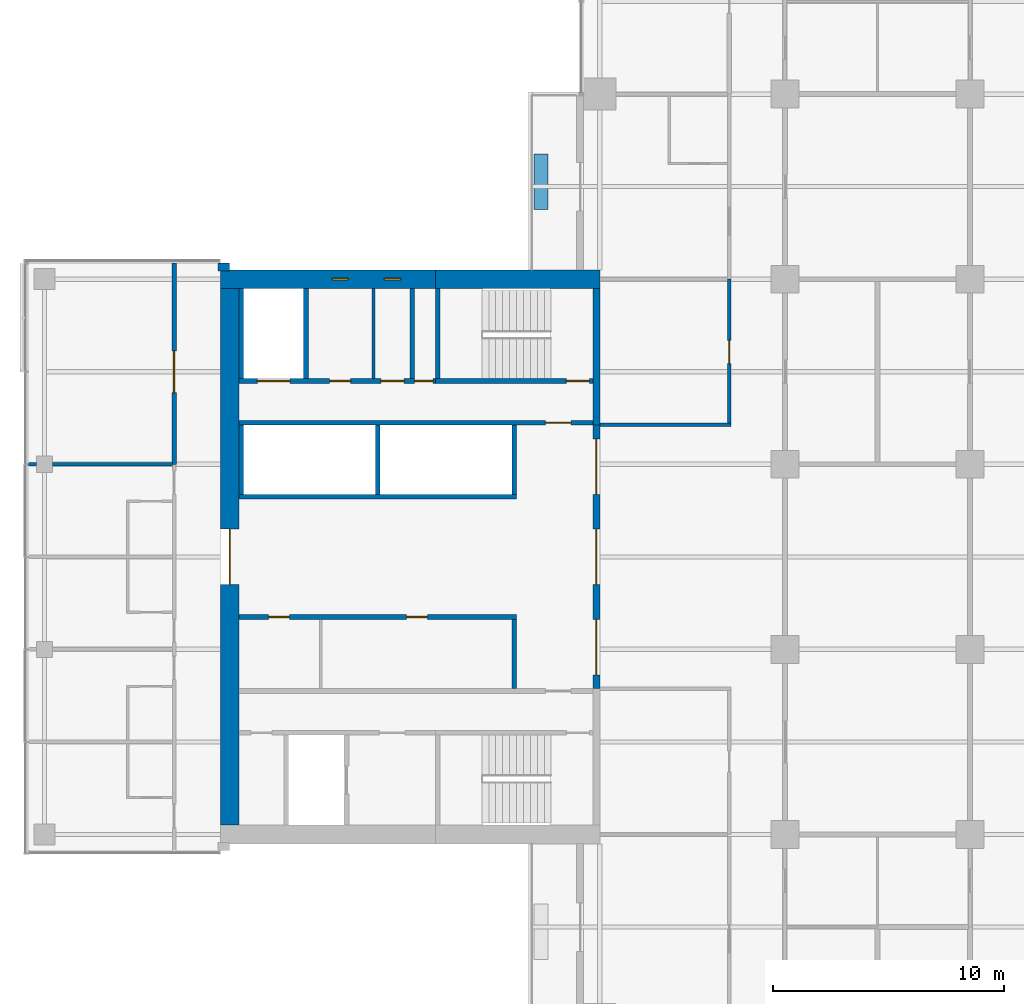
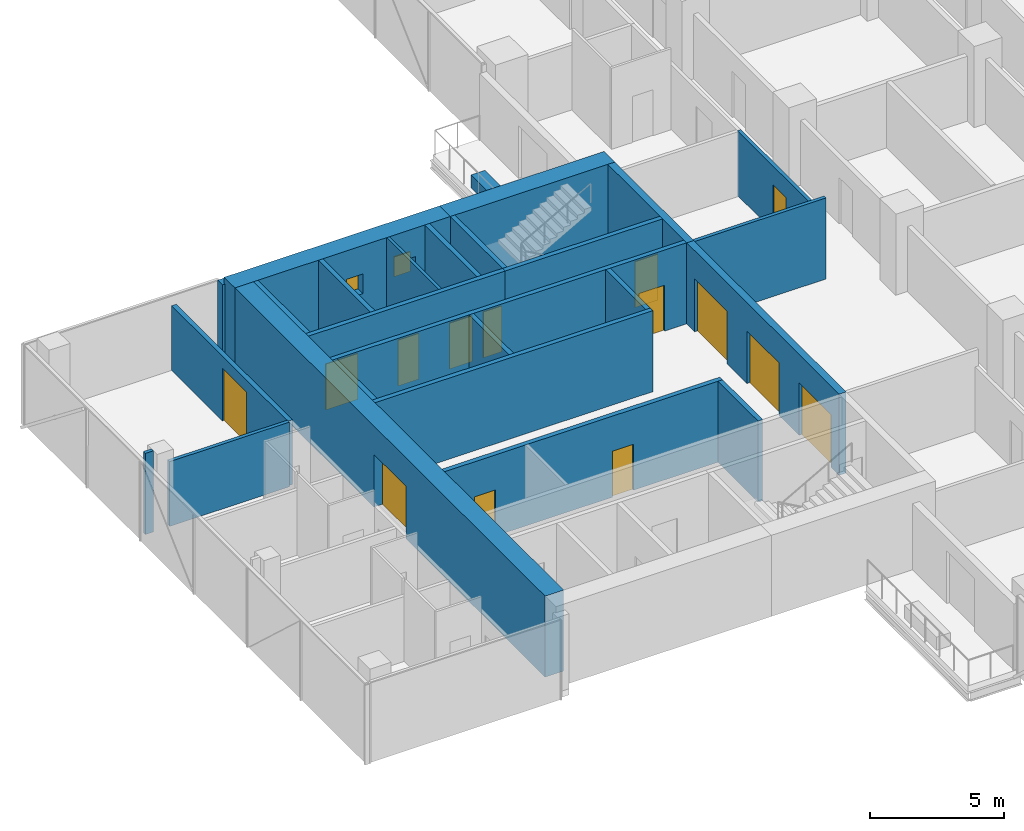
# One storey, part 18 of 27: 26 walls, 14 doors, 2 windows, 16 openings.
"""IFC4 building model written with IfcOpenShell, lengths in metres."""

from ifc_helpers import new_model, si_unit, direction, frame, frame_2d, origin, place, context, subcontext, project, spatial, rectangle, extrude, material, layer, layer_set, constituent, constituent_set, type_object, element, fill, save


model = new_model("IFC4")

# Units and contexts
model_context = context("Model", 3, precision=1e-05, world=origin(), true_north=direction((0.0, 1.0)))
body_context = subcontext(model_context, "Body", "Model", "MODEL_VIEW")
ifc_project = project(units=[si_unit("LENGTHUNIT", "METRE"), si_unit("AREAUNIT", "SQUARE_METRE"), si_unit("VOLUMEUNIT", "CUBIC_METRE"), si_unit("PLANEANGLEUNIT", "RADIAN"), si_unit("MASSUNIT", "GRAM", prefix="KILO")], contexts=[model_context])

# Site, building, storey
site_placement = place(None, origin())
site = spatial("IfcSite", under=ifc_project, at=site_placement, CompositionType="ELEMENT")
building_placement = place(site_placement, origin())
building = spatial("IfcBuilding", under=site, at=building_placement, Name="Crosswind Convention Tower", CompositionType="ELEMENT")
storey_placement = place(building_placement, frame((0.0, 0.0, 79.39990234375)))
storey = spatial("IfcBuildingStorey", under=building, at=storey_placement, Name="L14", CompositionType="ELEMENT", Elevation=79.39990234375)

# Walls
ifc_material_1 = material(Name="Concrete blockwork", Category="masonry")
ifc_layer_1 = layer(ifc_material_1, 0.199951171875)
ifc_layer_set_1 = layer_set([ifc_layer_1], Name="Blockwork partition wall 200")
wall_type_1 = type_object("IfcWallType", Name="Blockwork partition wall 200", PredefinedType="PARTITIONING", material=ifc_layer_set_1)
wall_1_placement = place(storey_placement, frame((104.89990234375, 111.60009765625, 0.0), z_axis=(0.0, 0.0, 1.0), x_axis=(0.0, -1.0, 0.0)))
element("IfcWall", 1, at=wall_1_placement, inside=storey, type_object=wall_type_1, Name="Wall MRSE W L14", PredefinedType="PARTITIONING", context=body_context, shape_type="SweptSolid", body=[
    extrude(rectangle(XDim=3.900146484375, YDim=0.199951171875, at=frame_2d((1.9501953125, 0.0))), origin(), (0.0, 0.0, 1.0), 3.7001953125),
])
ifc_material_2 = material(Name="Plasterboard partition", Category="gypsum")
ifc_layer_2 = layer(ifc_material_2, 0.14990234375)
ifc_layer_set_2 = layer_set([ifc_layer_2], Name="CORRIDOR WALL 150")
wall_type_2 = type_object("IfcWallType", Name="CORRIDOR WALL 150", PredefinedType="PARTITIONING", material=ifc_layer_set_2)
wall_2_placement = place(storey_placement, frame((113.0, 105.699951171875, 0.0), z_axis=(0.0, 0.0, 1.0), x_axis=(1.0, 0.0, 0.0)))
element("IfcWall", 2, at=wall_2_placement, inside=storey, type_object=wall_type_2, Name="Corridor Wall 39", PredefinedType="PARTITIONING", context=body_context, shape_type="SweptSolid", body=[
    extrude(rectangle(XDim=5.675048828125, YDim=0.14990234375, at=frame_2d((2.83740234375, 0.0))), origin(), (0.0, 0.0, 1.0), 3.7001953125),
])

# Wall, opening, door
wall_3_placement = place(storey_placement, frame((118.60009765625, 105.77490234375, 0.0), z_axis=(0.0, 0.0, 1.0), x_axis=(0.0, 1.0, 0.0)))
wall_3 = element("IfcWall", 3, at=wall_3_placement, inside=storey, type_object=wall_type_2, Name="Corridor Wall 75", PredefinedType="PARTITIONING", context=body_context, shape_type="SweptSolid", body=[
    extrude(rectangle(XDim=6.22509765625, YDim=0.14990234375, at=frame_2d((3.112548828125, 0.0))), origin(), (0.0, 0.0, 1.0), 2.95654296875),
])
opening_1_placement = place(wall_3_placement, frame((2.574951171875, 0.0, 0.0)))
opening_1 = element("IfcOpeningElement", 4, at=opening_1_placement, cuts=wall_3, Name="Opening 14.003", PredefinedType="OPENING", context=body_context, shape_type="SweptSolid", body=[
    extrude(rectangle(XDim=1.0, YDim=2.10009765625, at=frame_2d((0.5, 1.050048828125))), frame((0.0, 0.0849609375, 0.0), z_axis=(0.0, -1.0, 0.0), x_axis=(1.0, 0.0, 0.0)), (0.0, 0.0, 1.0), 0.169921875),
])
ifc_material_3 = material(Name="Timber fire door", Category="wood")
door_type_1 = type_object("IfcDoorType", Name="SERVICE ROOM DOOR 1000X2100", OperationType="NOTDEFINED", PredefinedType="DOOR", material=ifc_material_3)
door_1_placement = place(opening_1_placement, origin())
door_1 = element("IfcDoor", 5, at=door_1_placement, inside=storey, type_object=door_type_1, Name="Door 14.003", ObjectType="D3", OperationType="SINGLE_SWING_RIGHT", OverallHeight=2.10009765625, OverallWidth=1.0, PredefinedType="DOOR", context=body_context, shape_type="SweptSolid", body=[
    extrude(rectangle(XDim=1.0, YDim=2.10009765625, at=frame_2d((0.5, 1.050048828125))), frame((0.0, 0.02490234375, 0.0), z_axis=(0.0, -1.0, 0.0), x_axis=(1.0, 0.0, 0.0)), (0.0, 0.0, 1.0), 0.050048828125),
])
fill(opening_1, door_1)

ifc_material_4 = material(Name="Concrete C60/75", Category="concrete")
ifc_layer_3 = layer(ifc_material_4, 0.800048828125)
ifc_layer_set_3 = layer_set([ifc_layer_3], Name="Concrete C60/75")
wall_type_3 = type_object("IfcWallType", Name="Concrete core wall 800", PredefinedType="SHEAR", material=ifc_layer_set_3)
wall_4_placement = place(storey_placement, frame((97.0, 111.60009765625, 0.0), z_axis=(0.0, 0.0, 1.0), x_axis=(0.0, -1.0, 0.0)))
wall_4 = element("IfcWall", 6, at=wall_4_placement, inside=storey, type_object=wall_type_3, Name="Wall O W L14", PredefinedType="SHEAR", context=body_context, shape_type="SweptSolid", body=[
    extrude(rectangle(XDim=23.2001953125, YDim=0.800048828125, at=frame_2d((11.60009765625, 0.0))), origin(), (0.0, 0.0, 1.0), 3.7001953125),
])
opening_2_placement = place(wall_4_placement, frame((10.39990234375, 0.0, 0.0)))
opening_2 = element("IfcOpeningElement", 7, at=opening_2_placement, cuts=wall_4, Name="Opening D100", PredefinedType="OPENING", context=body_context, shape_type="SweptSolid", body=[
    extrude(rectangle(XDim=2.39990234375, YDim=2.39990234375, at=frame_2d((1.199951171875, 1.199951171875))), frame((0.0, 0.409912109375, 0.0), z_axis=(0.0, -1.0, 0.0), x_axis=(1.0, 0.0, 0.0)), (0.0, 0.0, 1.0), 0.820068359375),
])
ifc_material_5 = material(Name="Steel fire door with glazed vision panels", Category="steel")
door_type_2 = type_object("IfcDoorType", Name="Fire-rated double door 2400x2400", OperationType="DOUBLE_DOOR_SINGLE_SWING", PredefinedType="DOOR", material=ifc_material_5)
door_2_placement = place(opening_2_placement, origin())
door_2 = element("IfcDoor", 8, at=door_2_placement, inside=storey, type_object=door_type_2, Name="Lobby outer door L14", ObjectType="D100", OperationType="DOUBLE_DOOR_SINGLE_SWING", OverallHeight=2.39990234375, OverallWidth=2.39990234375, PredefinedType="DOOR", context=body_context, shape_type="SweptSolid", body=[
    extrude(rectangle(XDim=2.39990234375, YDim=2.39990234375, at=frame_2d((1.199951171875, 1.199951171875))), frame((0.0, 0.02490234375, 0.0), z_axis=(0.0, -1.0, 0.0), x_axis=(1.0, 0.0, 0.0)), (0.0, 0.0, 1.0), 0.050048828125),
])
fill(opening_2, door_2)

# Wall, openings, doors
ifc_material_6 = material(Name="Concrete C50/60", Category="concrete")
ifc_layer_4 = layer(ifc_material_6, 0.300048828125)
ifc_layer_set_4 = layer_set([ifc_layer_4], Name="Concrete C50/60")
wall_type_4 = type_object("IfcWallType", Name="Concrete inner core wall 300", PredefinedType="SHEAR", material=ifc_layer_set_4)
wall_5_placement = place(storey_placement, frame((112.85009765625, 105.699951171875, 0.0), z_axis=(0.0, 0.0, 1.0), x_axis=(0.0, -1.0, 0.0)))
wall_5 = element("IfcWall", 9, at=wall_5_placement, inside=storey, type_object=wall_type_4, Name="Wall SCR W L14", PredefinedType="SHEAR", context=body_context, shape_type="SweptSolid", body=[
    extrude(rectangle(XDim=11.39990234375, YDim=0.300048828125, at=frame_2d((5.699951171875, 0.0))), origin(), (0.0, 0.0, 1.0), 3.7001953125),
])
opening_3_placement = place(wall_5_placement, frame((0.60009765625, 0.0, 0.0)))
opening_3 = element("IfcOpeningElement", 10, at=opening_3_placement, cuts=wall_5, Name="Opening D100", PredefinedType="OPENING", context=body_context, shape_type="SweptSolid", body=[
    extrude(rectangle(XDim=2.39990234375, YDim=2.39990234375, at=frame_2d((1.199951171875, 1.199951171875))), frame((0.0, 0.159912109375, 0.0), z_axis=(0.0, -1.0, 0.0), x_axis=(1.0, 0.0, 0.0)), (0.0, 0.0, 1.0), 0.320068359375),
])
opening_4_placement = place(wall_5_placement, frame((4.5, 0.0, 0.0)))
opening_4 = element("IfcOpeningElement", 11, at=opening_4_placement, cuts=wall_5, Name="Opening D100", PredefinedType="OPENING", context=body_context, shape_type="SweptSolid", body=[
    extrude(rectangle(XDim=2.39990234375, YDim=2.39990234375, at=frame_2d((1.199951171875, 1.199951171875))), frame((0.0, 0.159912109375, 0.0), z_axis=(0.0, -1.0, 0.0), x_axis=(1.0, 0.0, 0.0)), (0.0, 0.0, 1.0), 0.320068359375),
])
opening_5_placement = place(wall_5_placement, frame((8.39990234375, 0.0, 0.0)))
opening_5 = element("IfcOpeningElement", 12, at=opening_5_placement, cuts=wall_5, Name="Opening D100", PredefinedType="OPENING", context=body_context, shape_type="SweptSolid", body=[
    extrude(rectangle(XDim=2.39990234375, YDim=2.39990234375, at=frame_2d((1.199951171875, 1.199951171875))), frame((0.0, 0.159912109375, 0.0), z_axis=(0.0, -1.0, 0.0), x_axis=(1.0, 0.0, 0.0)), (0.0, 0.0, 1.0), 0.320068359375),
])
door_3_placement = place(opening_3_placement, origin())
door_3 = element("IfcDoor", 13, at=door_3_placement, inside=storey, type_object=door_type_2, Name="Lobby door 1 L14", ObjectType="D100", OperationType="DOUBLE_DOOR_SINGLE_SWING", OverallHeight=2.39990234375, OverallWidth=2.39990234375, PredefinedType="DOOR", context=body_context, shape_type="SweptSolid", body=[
    extrude(rectangle(XDim=2.39990234375, YDim=2.39990234375, at=frame_2d((1.199951171875, 1.199951171875))), frame((0.0, 0.02490234375, 0.0), z_axis=(0.0, -1.0, 0.0), x_axis=(1.0, 0.0, 0.0)), (0.0, 0.0, 1.0), 0.050048828125),
])
fill(opening_3, door_3)
door_4_placement = place(opening_4_placement, origin())
door_4 = element("IfcDoor", 14, at=door_4_placement, inside=storey, type_object=door_type_2, Name="Lobby door 2 L14", ObjectType="D100", OperationType="DOUBLE_DOOR_SINGLE_SWING", OverallHeight=2.39990234375, OverallWidth=2.39990234375, PredefinedType="DOOR", context=body_context, shape_type="SweptSolid", body=[
    extrude(rectangle(XDim=2.39990234375, YDim=2.39990234375, at=frame_2d((1.199951171875, 1.199951171875))), frame((0.0, 0.02490234375, 0.0), z_axis=(0.0, -1.0, 0.0), x_axis=(1.0, 0.0, 0.0)), (0.0, 0.0, 1.0), 0.050048828125),
])
fill(opening_4, door_4)
door_5_placement = place(opening_5_placement, origin())
door_5 = element("IfcDoor", 15, at=door_5_placement, inside=storey, type_object=door_type_2, Name="Lobby door 3 L14", ObjectType="D100", OperationType="DOUBLE_DOOR_SINGLE_SWING", OverallHeight=2.39990234375, OverallWidth=2.39990234375, PredefinedType="DOOR", context=body_context, shape_type="SweptSolid", body=[
    extrude(rectangle(XDim=2.39990234375, YDim=2.39990234375, at=frame_2d((1.199951171875, 1.199951171875))), frame((0.0, 0.02490234375, 0.0), z_axis=(0.0, -1.0, 0.0), x_axis=(1.0, 0.0, 0.0)), (0.0, 0.0, 1.0), 0.050048828125),
])
fill(opening_5, door_5)

# Walls
wall_6_placement = place(storey_placement, frame((112.85009765625, 111.60009765625, 0.0), z_axis=(0.0, 0.0, 1.0), x_axis=(0.0, -1.0, 0.0)))
element("IfcWall", 16, at=wall_6_placement, inside=storey, type_object=wall_type_4, Name="Wall EM W L14", PredefinedType="SHEAR", context=body_context, shape_type="SweptSolid", body=[
    extrude(rectangle(XDim=5.900146484375, YDim=0.300048828125, at=frame_2d((2.9501953125, 0.0))), origin(), (0.0, 0.0, 1.0), 3.7001953125),
])
ifc_layer_5 = layer(ifc_material_6, 0.199951171875)
ifc_layer_set_5 = layer_set([ifc_layer_5], Name="Concrete C50/60")
wall_type_5 = type_object("IfcWallType", Name="Concrete shaft and stair wall 200", PredefinedType="SHEAR", material=ifc_layer_set_5)
wall_7_placement = place(storey_placement, frame((109.300048828125, 97.300048828125, 0.0), z_axis=(0.0, 0.0, 1.0), x_axis=(0.0, -1.0, 0.0)))
element("IfcWall", 17, at=wall_7_placement, inside=storey, type_object=wall_type_5, Name="Wall RPEND W L14", PredefinedType="SHEAR", context=body_context, shape_type="SweptSolid", body=[
    extrude(rectangle(XDim=3.0, YDim=0.199951171875, at=frame_2d((1.5, 0.0))), origin(), (0.0, 0.0, 1.0), 3.7001953125),
])

# Wall, openings, doors
wall_8_placement = place(storey_placement, frame((109.39990234375, 97.39990234375, 0.0), z_axis=(0.0, 0.0, 1.0), x_axis=(-1.0, 0.0, 0.0)))
wall_8 = element("IfcWall", 18, at=wall_8_placement, inside=storey, type_object=wall_type_5, Name="Wall RPFRONT W L14", PredefinedType="SHEAR", context=body_context, shape_type="SweptSolid", body=[
    extrude(rectangle(XDim=12.0, YDim=0.199951171875, at=frame_2d((6.0, 0.0))), origin(), (0.0, 0.0, 1.0), 3.7001953125),
])
opening_6_placement = place(wall_8_placement, frame((3.8486328125, 0.0, 0.0)))
opening_6 = element("IfcOpeningElement", 19, at=opening_6_placement, cuts=wall_8, Name="Opening D106", PredefinedType="OPENING", context=body_context, shape_type="SweptSolid", body=[
    extrude(rectangle(XDim=0.89990234375, YDim=2.10009765625, at=frame_2d((0.449951171875, 1.050048828125))), frame((0.0, 0.10986328125, 0.0), z_axis=(0.0, -1.0, 0.0), x_axis=(1.0, 0.0, 0.0)), (0.0, 0.0, 1.0), 0.219970703125),
])
opening_7_placement = place(wall_8_placement, frame((9.811279296875, 0.0, 0.0)))
opening_7 = element("IfcOpeningElement", 20, at=opening_7_placement, cuts=wall_8, Name="Opening D106", PredefinedType="OPENING", context=body_context, shape_type="SweptSolid", body=[
    extrude(rectangle(XDim=0.89990234375, YDim=2.10009765625, at=frame_2d((0.449951171875, 1.050048828125))), frame((0.0, 0.10986328125, 0.0), z_axis=(0.0, -1.0, 0.0), x_axis=(1.0, 0.0, 0.0)), (0.0, 0.0, 1.0), 0.219970703125),
])
ifc_material_7 = material(Name="Timber door", Category="wood")
door_type_3 = type_object("IfcDoorType", Name="Single leaf door 900x2100", OperationType="NOTDEFINED", PredefinedType="DOOR", material=ifc_material_7)
door_6_placement = place(opening_6_placement, origin())
door_6 = element("IfcDoor", 21, at=door_6_placement, inside=storey, type_object=door_type_3, Name="Door to meeting room L14", ObjectType="D106", OperationType="SINGLE_SWING_RIGHT", OverallHeight=2.10009765625, OverallWidth=0.89990234375, PredefinedType="DOOR", context=body_context, shape_type="SweptSolid", body=[
    extrude(rectangle(XDim=0.89990234375, YDim=2.10009765625, at=frame_2d((0.449951171875, 1.050048828125))), frame((0.0, 0.02490234375, 0.0), z_axis=(0.0, -1.0, 0.0), x_axis=(1.0, 0.0, 0.0)), (0.0, 0.0, 1.0), 0.050048828125),
])
fill(opening_6, door_6)
door_7_placement = place(opening_7_placement, origin())
door_7 = element("IfcDoor", 22, at=door_7_placement, inside=storey, type_object=door_type_3, Name="Door to business centre L14", ObjectType="D106", OperationType="SINGLE_SWING_RIGHT", OverallHeight=2.10009765625, OverallWidth=0.89990234375, PredefinedType="DOOR", context=body_context, shape_type="SweptSolid", body=[
    extrude(rectangle(XDim=0.89990234375, YDim=2.10009765625, at=frame_2d((0.449951171875, 1.050048828125))), frame((0.0, 0.02490234375, 0.0), z_axis=(0.0, -1.0, 0.0), x_axis=(1.0, 0.0, 0.0)), (0.0, 0.0, 1.0), 0.050048828125),
])
fill(opening_7, door_7)

# Walls
for number, where, z_axis, x_axis, name in (
    (23, (109.300048828125, 105.699951171875, 0.0), (0.0, 0.0, 1.0), (0.0, -1.0, 0.0), "Wall RMEND W L14"),
    (24, (103.39990234375, 105.699951171875, 0.0), (0.0, 0.0, 1.0), (0.0, -1.0, 0.0), "Wall RMSEP W L14"),
    (25, (97.5, 105.699951171875, 0.0), (0.0, 0.0, 1.0), (0.0, -1.0, 0.0), "Wall RMEAST W L14"),
):
    element("IfcWall", number, at=place(storey_placement, frame(where, z_axis=z_axis, x_axis=x_axis)), inside=storey, type_object=wall_type_5, Name=name, PredefinedType="SHEAR", context=body_context, shape_type="SweptSolid", body=[
        extrude(rectangle(XDim=3.0, YDim=0.199951171875, at=frame_2d((1.5, 0.0))), origin(), (0.0, 0.0, 1.0), 3.7001953125),
    ])
wall_9_placement = place(storey_placement, frame((109.39990234375, 102.60009765625, 0.0), z_axis=(0.0, 0.0, 1.0), x_axis=(-1.0, 0.0, 0.0)))
element("IfcWall", 26, at=wall_9_placement, inside=storey, type_object=wall_type_5, Name="Wall RMFRONT W L14", PredefinedType="SHEAR", context=body_context, shape_type="SweptSolid", body=[
    extrude(rectangle(XDim=12.0, YDim=0.199951171875, at=frame_2d((6.0, 0.0))), origin(), (0.0, 0.0, 1.0), 3.7001953125),
])

# Wall, opening, door
wall_10_placement = place(storey_placement, frame((112.699951171875, 105.800048828125, 0.0), z_axis=(0.0, 0.0, 1.0), x_axis=(-1.0, 0.0, 0.0)))
wall_10 = element("IfcWall", 27, at=wall_10_placement, inside=storey, type_object=wall_type_5, Name="Wall HM W L14", PredefinedType="SHEAR", context=body_context, shape_type="SweptSolid", body=[
    extrude(rectangle(XDim=15.300048828125, YDim=0.199951171875, at=frame_2d((7.64990234375, 0.0))), origin(), (0.0, 0.0, 1.0), 3.7001953125),
])
opening_8_placement = place(wall_10_placement, frame((0.949951171875, 0.0, 0.0)))
opening_8 = element("IfcOpeningElement", 28, at=opening_8_placement, cuts=wall_10, Name="Opening D104", PredefinedType="OPENING", context=body_context, shape_type="SweptSolid", body=[
    extrude(rectangle(XDim=1.10009765625, YDim=2.10009765625, at=frame_2d((0.550048828125, 1.050048828125))), frame((0.0, 0.10986328125, 0.0), z_axis=(0.0, -1.0, 0.0), x_axis=(1.0, 0.0, 0.0)), (0.0, 0.0, 1.0), 0.219970703125),
])
ifc_material_8 = material(Name="Steel fire door", Category="steel")
door_type_4 = type_object("IfcDoorType", Name="Fire-rated single door 1100x2100", OperationType="NOTDEFINED", PredefinedType="DOOR", material=ifc_material_8)
door_8_placement = place(opening_8_placement, origin())
door_8 = element("IfcDoor", 29, at=door_8_placement, inside=storey, type_object=door_type_4, Name="Corridor door L14", ObjectType="D104", OperationType="SINGLE_SWING_LEFT", OverallHeight=2.10009765625, OverallWidth=1.10009765625, PredefinedType="DOOR", context=body_context, shape_type="SweptSolid", body=[
    extrude(rectangle(XDim=1.10009765625, YDim=2.10009765625, at=frame_2d((0.550048828125, 1.050048828125))), frame((0.0, 0.02490234375, 0.0), z_axis=(0.0, -1.0, 0.0), x_axis=(1.0, 0.0, 0.0)), (0.0, 0.0, 1.0), 0.050048828125),
])
fill(opening_8, door_8)

# Walls
for number, where, z_axis, x_axis, name in (
    (30, (106.0, 111.60009765625, 0.0), (0.0, 0.0, 1.0), (0.0, -1.0, 0.0), "Wall MSE W L14"),
    (31, (100.300048828125, 111.60009765625, 0.0), (0.0, 0.0, 1.0), (0.0, -1.0, 0.0), "Wall MFSW W L14"),
    (32, (97.5, 111.60009765625, 0.0), (0.0, 0.0, 1.0), (0.0, -1.0, 0.0), "Wall MFSE W L14"),
):
    element("IfcWall", number, at=place(storey_placement, frame(where, z_axis=z_axis, x_axis=x_axis)), inside=storey, type_object=wall_type_5, Name=name, PredefinedType="SHEAR", context=body_context, shape_type="SweptSolid", body=[
        extrude(rectangle(XDim=3.900146484375, YDim=0.199951171875, at=frame_2d((1.9501953125, 0.0))), origin(), (0.0, 0.0, 1.0), 3.7001953125),
    ])

# Wall, opening, door
wall_11_placement = place(storey_placement, frame((112.699951171875, 107.60009765625, 0.0), z_axis=(0.0, 0.0, 1.0), x_axis=(-1.0, 0.0, 0.0)))
wall_11 = element("IfcWall", 33, at=wall_11_placement, inside=storey, type_object=wall_type_5, Name="Wall MCW W L14", PredefinedType="SHEAR", context=body_context, shape_type="SweptSolid", body=[
    extrude(rectangle(XDim=6.800048828125, YDim=0.199951171875, at=frame_2d((3.39990234375, 0.0))), origin(), (0.0, 0.0, 1.0), 3.7001953125),
])
opening_9_placement = place(wall_11_placement, frame((0.14990234375, 0.0, 0.0)))
opening_9 = element("IfcOpeningElement", 34, at=opening_9_placement, cuts=wall_11, Name="Opening D103", PredefinedType="OPENING", context=body_context, shape_type="SweptSolid", body=[
    extrude(rectangle(XDim=1.0, YDim=2.10009765625, at=frame_2d((0.5, 1.050048828125))), frame((0.0, 0.10986328125, 0.0), z_axis=(0.0, -1.0, 0.0), x_axis=(1.0, 0.0, 0.0)), (0.0, 0.0, 1.0), 0.219970703125),
])
door_type_5 = type_object("IfcDoorType", Name="Fire-rated single door 1000x2100", OperationType="NOTDEFINED", PredefinedType="DOOR", material=ifc_material_8)
door_9_placement = place(opening_9_placement, frame((1.0, 0.0, 0.0), z_axis=(0.0, 0.0, 1.0), x_axis=(-1.0, 0.0, 0.0)))
door_9 = element("IfcDoor", 35, at=door_9_placement, inside=storey, type_object=door_type_5, Name="Stair ST4 door L14", ObjectType="D103", OperationType="SINGLE_SWING_RIGHT", OverallHeight=2.10009765625, OverallWidth=1.0, PredefinedType="DOOR", context=body_context, shape_type="SweptSolid", body=[
    extrude(rectangle(XDim=1.0, YDim=2.10009765625, at=frame_2d((0.5, 1.050048828125))), frame((0.0, 0.02490234375, 0.0), z_axis=(0.0, -1.0, 0.0), x_axis=(1.0, 0.0, 0.0)), (0.0, 0.0, 1.0), 0.050048828125),
])
fill(opening_9, door_9)

# Wall, openings, doors
wall_12_placement = place(storey_placement, frame((105.89990234375, 107.60009765625, 0.0), z_axis=(0.0, 0.0, 1.0), x_axis=(-1.0, 0.0, 0.0)))
wall_12 = element("IfcWall", 36, at=wall_12_placement, inside=storey, type_object=wall_type_5, Name="Wall MCX W L14", PredefinedType="SHEAR", context=body_context, shape_type="SweptSolid", body=[
    extrude(rectangle(XDim=8.5, YDim=0.199951171875, at=frame_2d((4.25, 0.0))), origin(), (0.0, 0.0, 1.0), 3.7001953125),
])
opening_10_placement = place(wall_12_placement, frame((0.10009765625, 0.0, 0.0)))
opening_10 = element("IfcOpeningElement", 37, at=opening_10_placement, cuts=wall_12, Name="Opening D105", PredefinedType="OPENING", context=body_context, shape_type="SweptSolid", body=[
    extrude(rectangle(XDim=0.800048828125, YDim=2.10009765625, at=frame_2d((0.39990234375, 1.050048828125))), frame((0.0, 0.10986328125, 0.0), z_axis=(0.0, -1.0, 0.0), x_axis=(1.0, 0.0, 0.0)), (0.0, 0.0, 1.0), 0.219970703125),
])
opening_11_placement = place(wall_12_placement, frame((1.36083984375, 0.0, 0.0)))
opening_11 = element("IfcOpeningElement", 38, at=opening_11_placement, cuts=wall_12, Name="Opening D103", PredefinedType="OPENING", context=body_context, shape_type="SweptSolid", body=[
    extrude(rectangle(XDim=1.0, YDim=2.10009765625, at=frame_2d((0.5, 1.050048828125))), frame((0.0, 0.10986328125, 0.0), z_axis=(0.0, -1.0, 0.0), x_axis=(1.0, 0.0, 0.0)), (0.0, 0.0, 1.0), 0.219970703125),
])
opening_12_placement = place(wall_12_placement, frame((3.67333984375, 0.0, 0.0)))
opening_12 = element("IfcOpeningElement", 39, at=opening_12_placement, cuts=wall_12, Name="Opening D106", PredefinedType="OPENING", context=body_context, shape_type="SweptSolid", body=[
    extrude(rectangle(XDim=0.89990234375, YDim=2.10009765625, at=frame_2d((0.449951171875, 1.050048828125))), frame((0.0, 0.10986328125, 0.0), z_axis=(0.0, -1.0, 0.0), x_axis=(1.0, 0.0, 0.0)), (0.0, 0.0, 1.0), 0.219970703125),
])
opening_13_placement = place(wall_12_placement, frame((6.300048828125, 0.0, 0.0)))
opening_13 = element("IfcOpeningElement", 40, at=opening_13_placement, cuts=wall_12, Name="Opening LD2", PredefinedType="OPENING", context=body_context, shape_type="SweptSolid", body=[
    extrude(rectangle(XDim=1.39990234375, YDim=2.10009765625, at=frame_2d((0.699951171875, 1.050048828125))), frame((0.0, 0.10986328125, 0.0), z_axis=(0.0, -1.0, 0.0), x_axis=(1.0, 0.0, 0.0)), (0.0, 0.0, 1.0), 0.219970703125),
])
door_10_placement = place(opening_11_placement, frame((1.0, 0.0, 0.0), z_axis=(0.0, 0.0, 1.0), x_axis=(-1.0, 0.0, 0.0)))
door_10 = element("IfcDoor", 41, at=door_10_placement, inside=storey, type_object=door_type_5, Name="Door to accessible wc L14", ObjectType="D103", OperationType="SINGLE_SWING_LEFT", OverallHeight=2.10009765625, OverallWidth=1.0, PredefinedType="DOOR", context=body_context, shape_type="SweptSolid", body=[
    extrude(rectangle(XDim=1.0, YDim=2.10009765625, at=frame_2d((0.5, 1.050048828125))), frame((0.0, 0.02490234375, 0.0), z_axis=(0.0, -1.0, 0.0), x_axis=(1.0, 0.0, 0.0)), (0.0, 0.0, 1.0), 0.050048828125),
])
fill(opening_11, door_10)
ifc_material_9 = material(Name="Stainless steel", Category="steel")
door_type_6 = type_object("IfcDoorType", Name="Lift landing door 1400x2100", OperationType="DOUBLE_DOOR_SLIDING", PredefinedType="DOOR", material=ifc_material_9)
door_11_placement = place(opening_13_placement, origin())
door_11 = element("IfcDoor", 42, at=door_11_placement, inside=storey, type_object=door_type_6, Name="Landing door SV2 L14", ObjectType="LD2", OperationType="DOUBLE_DOOR_SLIDING", OverallHeight=2.10009765625, OverallWidth=1.39990234375, PredefinedType="DOOR", context=body_context, shape_type="SweptSolid", body=[
    extrude(rectangle(XDim=1.39990234375, YDim=2.10009765625, at=frame_2d((0.699951171875, 1.050048828125))), frame((0.0, 0.02490234375, 0.0), z_axis=(0.0, -1.0, 0.0), x_axis=(1.0, 0.0, 0.0)), (0.0, 0.0, 1.0), 0.050048828125),
])
fill(opening_13, door_11)
door_type_7 = type_object("IfcDoorType", Name="Riser access door 800x2100", OperationType="NOTDEFINED", PredefinedType="DOOR", material=ifc_material_8)
door_12_placement = place(opening_10_placement, frame((0.800048828125, 0.0, 0.0), z_axis=(0.0, 0.0, 1.0), x_axis=(-1.0, 0.0, 0.0)))
door_12 = element("IfcDoor", 43, at=door_12_placement, inside=storey, type_object=door_type_7, Name="Riser door L14", ObjectType="D105", OperationType="SINGLE_SWING_LEFT", OverallHeight=2.10009765625, OverallWidth=0.800048828125, PredefinedType="DOOR", context=body_context, shape_type="SweptSolid", body=[
    extrude(rectangle(XDim=0.800048828125, YDim=2.10009765625, at=frame_2d((0.39990234375, 1.050048828125))), frame((0.0, 0.02490234375, 0.0), z_axis=(0.0, -1.0, 0.0), x_axis=(1.0, 0.0, 0.0)), (0.0, 0.0, 1.0), 0.050048828125),
])
fill(opening_10, door_12)
door_13_placement = place(opening_12_placement, frame((0.89990234375, 0.0, 0.0), z_axis=(0.0, 0.0, 1.0), x_axis=(-1.0, 0.0, 0.0)))
door_13 = element("IfcDoor", 44, at=door_13_placement, inside=storey, type_object=door_type_3, Name="Door to wc L14", ObjectType="D106", OperationType="SINGLE_SWING_LEFT", OverallHeight=2.10009765625, OverallWidth=0.89990234375, PredefinedType="DOOR", context=body_context, shape_type="SweptSolid", body=[
    extrude(rectangle(XDim=0.89990234375, YDim=2.10009765625, at=frame_2d((0.449951171875, 1.050048828125))), frame((0.0, 0.02490234375, 0.0), z_axis=(0.0, -1.0, 0.0), x_axis=(1.0, 0.0, 0.0)), (0.0, 0.0, 1.0), 0.050048828125),
])
fill(opening_12, door_13)

# Walls
ifc_material_10 = material(Name="Gypsum plasterboard partition", Category="gypsum")
ifc_layer_6 = layer(ifc_material_10, 0.125)
ifc_layer_set_6 = layer_set([ifc_layer_6], Name="Drywall partition wall 125")
wall_type_6 = type_object("IfcWallType", Name="Drywall partition wall 125", PredefinedType="PARTITIONING", material=ifc_layer_set_6)
wall_13_placement = place(storey_placement, frame((103.216064453125, 111.60009765625, 0.0), z_axis=(0.0, 0.0, 1.0), x_axis=(0.0, -1.0, 0.0)))
element("IfcWall", 45, at=wall_13_placement, inside=storey, type_object=wall_type_6, Name="Wall MWP1 W L14", PredefinedType="PARTITIONING", context=body_context, shape_type="SweptSolid", body=[
    extrude(rectangle(XDim=3.900146484375, YDim=0.125, at=frame_2d((1.9501953125, 0.0))), origin(), (0.0, 0.0, 1.0), 3.7001953125),
])
ifc_material_11 = material(Name="Acoustic plasterboard partition", Category="gypsum")
ifc_layer_7 = layer(ifc_material_11, 0.14990234375)
ifc_layer_set_7 = layer_set([ifc_layer_7], Name="GUEST ROOM WALL 150")
wall_type_7 = type_object("IfcWallType", Name="GUEST ROOM WALL 150", PredefinedType="PARTITIONING", material=ifc_layer_set_7)
wall_14_placement = place(storey_placement, frame((88.300048828125, 104.0, 0.0), z_axis=(0.0, 0.0, 1.0), x_axis=(1.0, 0.0, 0.0)))
element("IfcWall", 46, at=wall_14_placement, inside=storey, type_object=wall_type_7, Name="Guest Room Wall 34", PredefinedType="PARTITIONING", context=body_context, shape_type="SweptSolid", body=[
    extrude(rectangle(XDim=0.349853515625, YDim=0.14990234375, at=frame_2d((0.1748046875, 0.0))), origin(), (0.0, 0.0, 1.0), 3.7001953125),
])
wall_15_placement = place(storey_placement, frame((89.35009765625, 104.0, 0.0), z_axis=(0.0, 0.0, 1.0), x_axis=(1.0, 0.0, 0.0)))
element("IfcWall", 47, at=wall_15_placement, inside=storey, type_object=wall_type_7, Name="Guest Room Wall 35", PredefinedType="PARTITIONING", context=body_context, shape_type="SweptSolid", body=[
    extrude(rectangle(XDim=5.1748046875, YDim=0.14990234375, at=frame_2d((2.58740234375, 0.0))), origin(), (0.0, 0.0, 1.0), 2.95654296875),
])

# Wall, opening, door
ifc_material_12 = material(Name="Double plasterboard partition", Category="gypsum")
ifc_layer_8 = layer(ifc_material_12, 0.199951171875)
ifc_layer_set_8 = layer_set([ifc_layer_8], Name="HALL WALL 200")
wall_type_8 = type_object("IfcWallType", Name="HALL WALL 200", PredefinedType="PARTITIONING", material=ifc_layer_set_8)
wall_16_placement = place(storey_placement, frame((94.60009765625, 104.0, 0.0), z_axis=(0.0, 0.0, 1.0), x_axis=(0.0, 1.0, 0.0)))
wall_16 = element("IfcWall", 48, at=wall_16_placement, inside=storey, type_object=wall_type_8, Name="Hall Wall 66", PredefinedType="PARTITIONING", context=body_context, shape_type="SweptSolid", body=[
    extrude(rectangle(XDim=8.699951171875, YDim=0.199951171875, at=frame_2d((4.35009765625, 0.0))), origin(), (0.0, 0.0, 1.0), 2.95654296875),
])
opening_14_placement = place(wall_16_placement, frame((3.10009765625, 0.0, 0.0)))
opening_14 = element("IfcOpeningElement", 49, at=opening_14_placement, cuts=wall_16, Name="Opening 14.047", PredefinedType="OPENING", context=body_context, shape_type="SweptSolid", body=[
    extrude(rectangle(XDim=1.800048828125, YDim=2.39990234375, at=frame_2d((0.89990234375, 1.199951171875))), frame((0.0, 0.10986328125, 0.0), z_axis=(0.0, -1.0, 0.0), x_axis=(1.0, 0.0, 0.0)), (0.0, 0.0, 1.0), 0.219970703125),
])
door_type_8 = type_object("IfcDoorType", Name="HALL DOUBLE DOOR 1800X2400", OperationType="DOUBLE_DOOR_SINGLE_SWING", PredefinedType="DOOR", material=ifc_material_3)
door_14_placement = place(opening_14_placement, frame((1.800048828125, 0.0, 0.0), z_axis=(0.0, 0.0, 1.0), x_axis=(-1.0, 0.0, 0.0)))
door_14 = element("IfcDoor", 50, at=door_14_placement, inside=storey, type_object=door_type_8, Name="Door 14.047", ObjectType="D5", OperationType="DOUBLE_DOOR_SINGLE_SWING", OverallHeight=2.39990234375, OverallWidth=1.800048828125, PredefinedType="DOOR", context=body_context, shape_type="SweptSolid", body=[
    extrude(rectangle(XDim=1.800048828125, YDim=2.39990234375, at=frame_2d((0.89990234375, 1.199951171875))), frame((0.0, 0.02490234375, 0.0), z_axis=(0.0, -1.0, 0.0), x_axis=(1.0, 0.0, 0.0)), (0.0, 0.0, 1.0), 0.050048828125),
])
fill(opening_14, door_14)

# Walls
ifc_material_13 = material(Name="Concrete C30/37", Category="concrete")
ifc_layer_9 = layer(ifc_material_13, 0.60009765625)
ifc_layer_set_9 = layer_set([ifc_layer_9], Name="Concrete C30/37")
wall_type_9 = type_object("IfcWallType", Name="PLANTER BOX WALL 600", PredefinedType="SOLIDWALL", material=ifc_layer_set_9)
wall_17_placement = place(storey_placement, frame((110.449951171875, 117.39990234375, 0.0), z_axis=(0.0, 0.0, 1.0), x_axis=(0.0, -1.0, 0.0)))
element("IfcWall", 51, at=wall_17_placement, inside=storey, type_object=wall_type_9, Name="PLANTER L14 N-W.1-3", PredefinedType="SOLIDWALL", context=body_context, shape_type="SweptSolid", body=[
    extrude(rectangle(XDim=2.39990234375, YDim=0.60009765625, at=frame_2d((1.199951171875, 0.0))), origin(), (0.0, 0.0, 1.0), 0.60009765625),
])
ifc_material_14 = material(Name="Terracotta rainscreen", Category="ceramic")
ifc_layer_10 = layer(ifc_material_14, 0.02001953125)
ifc_material_15 = material(Name="Mineral wool insulation", Category="insulation")
ifc_layer_11 = layer(ifc_material_15, 0.10009765625)
ifc_layer_12 = layer(ifc_material_1, 0.236083984375)
ifc_layer_set_10 = layer_set([ifc_layer_10, ifc_layer_11, ifc_layer_12], Name="TERRACOTTA CORNER INFILL WALL 356")
wall_type_10 = type_object("IfcWallType", Name="TERRACOTTA CORNER INFILL WALL 356", PredefinedType="SOLIDWALL", material=ifc_layer_set_10)
wall_18_placement = place(storey_placement, frame((96.4951171875, 112.52197265625, 0.0), z_axis=(0.0, 0.0, 1.0), x_axis=(1.0, 0.0, 0.0)))
element("IfcWall", 52, at=wall_18_placement, inside=storey, type_object=wall_type_10, Name="Core corner infill wall L14 2", PredefinedType="SOLIDWALL", context=body_context, shape_type="SweptSolid", body=[
    extrude(rectangle(XDim=0.5048828125, YDim=0.35595703125, at=frame_2d((0.25244140625, 0.0))), origin(), (0.0, 0.0, 1.0), 3.420166015625),
])
ifc_constituent_1 = constituent(ifc_material_4, Name="Structure")
ifc_constituent_2 = constituent(ifc_material_14, Name="Facing")
ifc_constituent_set = constituent_set(constituents=[ifc_constituent_1, ifc_constituent_2], Name="Concrete C60/75, Terracotta rainscreen")
wall_type_11 = type_object("IfcWallType", Name="Terracotta rainscreen on concrete core wall 800", PredefinedType="SHEAR", material=ifc_constituent_set)
wall_19_placement = place(storey_placement, frame((113.0, 112.0, 0.0), z_axis=(0.0, 0.0, 1.0), x_axis=(-1.0, 0.0, 0.0)))
element("IfcWall", 53, at=wall_19_placement, inside=storey, type_object=wall_type_11, Name="Wall S1 W L14", PredefinedType="SHEAR", context=body_context, shape_type="SweptSolid", body=[
    extrude(rectangle(XDim=7.10009765625, YDim=0.800048828125, at=frame_2d((3.550048828125, 0.0))), origin(), (0.0, 0.0, 1.0), 3.7001953125),
])

# Wall, openings, windows
wall_20_placement = place(storey_placement, frame((105.89990234375, 112.0, 0.0), z_axis=(0.0, 0.0, 1.0), x_axis=(-1.0, 0.0, 0.0)))
wall_20 = element("IfcWall", 54, at=wall_20_placement, inside=storey, type_object=wall_type_11, Name="Wall S2 W L14", PredefinedType="SHEAR", context=body_context, shape_type="SweptSolid", body=[
    extrude(rectangle(XDim=9.2998046875, YDim=0.800048828125, at=frame_2d((4.64990234375, 0.0))), origin(), (0.0, 0.0, 1.0), 3.7001953125),
])
opening_15_placement = place(wall_20_placement, frame((1.5107421875, 0.0, 1.5)))
opening_15 = element("IfcOpeningElement", 55, at=opening_15_placement, cuts=wall_20, Name="Opening W2", PredefinedType="OPENING", context=body_context, shape_type="SweptSolid", body=[
    extrude(rectangle(XDim=0.699951171875, YDim=0.89990234375, at=frame_2d((0.35009765625, 0.449951171875))), frame((0.0, 0.409912109375, 0.0), z_axis=(0.0, -1.0, 0.0), x_axis=(1.0, 0.0, 0.0)), (0.0, 0.0, 1.0), 0.820068359375),
])
opening_16_placement = place(wall_20_placement, frame((3.773193359375, 0.0, 1.5)))
opening_16 = element("IfcOpeningElement", 56, at=opening_16_placement, cuts=wall_20, Name="Opening W2", PredefinedType="OPENING", context=body_context, shape_type="SweptSolid", body=[
    extrude(rectangle(XDim=0.699951171875, YDim=0.89990234375, at=frame_2d((0.35009765625, 0.449951171875))), frame((0.0, 0.409912109375, 0.0), z_axis=(0.0, -1.0, 0.0), x_axis=(1.0, 0.0, 0.0)), (0.0, 0.0, 1.0), 0.820068359375),
])
ifc_material_16 = material(Name="Obscure glass in aluminium frame", Category="aluminium")
window_type = type_object("IfcWindowType", Name="WC window 700x900", PartitioningType="SINGLE_PANEL", PredefinedType="WINDOW", material=ifc_material_16)
window_1_placement = place(opening_15_placement, origin())
window_1 = element("IfcWindow", 57, at=window_1_placement, inside=storey, type_object=window_type, Name="WC window L14", ObjectType="W2", OverallHeight=0.89990234375, OverallWidth=0.699951171875, PartitioningType="SINGLE_PANEL", PredefinedType="WINDOW", context=body_context, shape_type="SweptSolid", body=[
    extrude(rectangle(XDim=0.699951171875, YDim=0.89990234375, at=frame_2d((0.35009765625, 0.449951171875))), frame((0.0, 0.030029296875, 0.0), z_axis=(0.0, -1.0, 0.0), x_axis=(1.0, 0.0, 0.0)), (0.0, 0.0, 1.0), 0.06005859375),
])
fill(opening_15, window_1)
window_2_placement = place(opening_16_placement, origin())
window_2 = element("IfcWindow", 58, at=window_2_placement, inside=storey, type_object=window_type, Name="WC window L14", ObjectType="W2", OverallHeight=0.89990234375, OverallWidth=0.699951171875, PartitioningType="SINGLE_PANEL", PredefinedType="WINDOW", context=body_context, shape_type="SweptSolid", body=[
    extrude(rectangle(XDim=0.699951171875, YDim=0.89990234375, at=frame_2d((0.35009765625, 0.449951171875))), frame((0.0, 0.030029296875, 0.0), z_axis=(0.0, -1.0, 0.0), x_axis=(1.0, 0.0, 0.0)), (0.0, 0.0, 1.0), 0.06005859375),
])
fill(opening_16, window_2)

save(model, "model.ifc")
